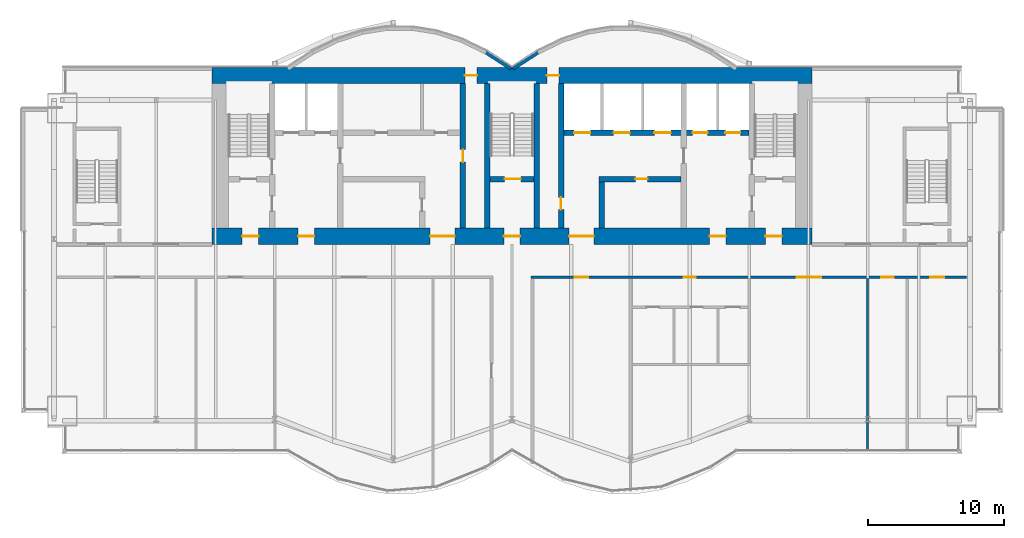
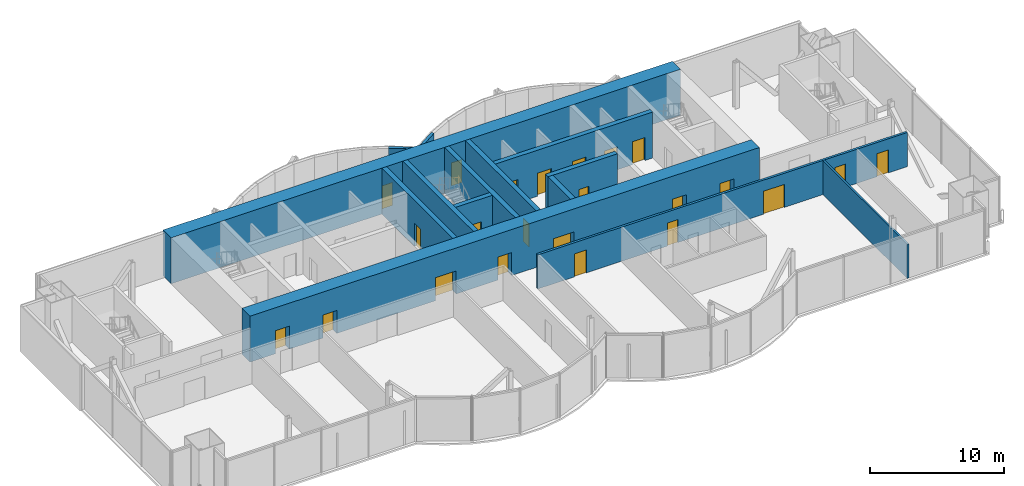
# One storey, part 14 of 19: 23 doors, 14 walls, 23 openings.
"""IFC4 building model written with IfcOpenShell, lengths in metres."""

from ifc_helpers import new_model, si_unit, direction, frame, frame_2d, origin, place, context, subcontext, project, spatial, rectangle, extrude, material, layer, layer_set, layer_usage, type_object, element, fill, save


model = new_model("IFC4")

# Units and contexts
model_context = context("Model", 3, precision=1e-05, world=origin(), true_north=direction((0.0, 1.0)))
body_context = subcontext(model_context, "Body", "Model", "MODEL_VIEW")
ifc_project = project(units=[si_unit("LENGTHUNIT", "METRE"), si_unit("AREAUNIT", "SQUARE_METRE"), si_unit("VOLUMEUNIT", "CUBIC_METRE"), si_unit("PLANEANGLEUNIT", "RADIAN"), si_unit("MASSUNIT", "GRAM", prefix="KILO")], contexts=[model_context])

# Site, building, storey
site_placement = place(None, origin())
site = spatial("IfcSite", under=ifc_project, at=site_placement, CompositionType="ELEMENT")
building_placement = place(site_placement, origin())
building = spatial("IfcBuilding", under=site, at=building_placement, Name="Bicima Exchange Tower", CompositionType="ELEMENT")
storey_placement = place(building_placement, frame((0.0, 0.0, 275.0)))
storey = spatial("IfcBuildingStorey", under=building, at=storey_placement, Name="L62", CompositionType="ELEMENT", Elevation=275.0)

# Wall, openings, doors
ifc_material_1 = material(Name="Gypsum board partition")
ifc_layer_1 = layer(ifc_material_1, 0.199951171875)
ifc_layer_set_1 = layer_set([ifc_layer_1], Name="Gypsum board partition")
wall_type_1 = type_object("IfcWallType", Name="Fire-rated gypsum partition 200 EI60", PredefinedType="PARTITIONING", material=ifc_layer_set_1)
wall_1_placement = place(storey_placement, frame((1.39990234375, -15.39990234375, 0.0), z_axis=(0.0, 0.0, 1.0), x_axis=(1.0, 0.0, 0.0)))
wall_1 = element("IfcWall", 1, at=wall_1_placement, inside=storey, type_object=wall_type_1, Name="partition wall 4", PredefinedType="PARTITIONING", context=body_context, shape_type="SweptSolid", body=[
    extrude(rectangle(XDim=31.940185546875, YDim=0.199951171875, at=frame_2d((15.97021484375, 0.0))), origin(), (0.0, 0.0, 1.0), 3.1181640625),
])
opening_1_placement = place(wall_1_placement, frame((3.199951171875, 0.0, 0.0)))
opening_1 = element("IfcOpeningElement", 2, at=opening_1_placement, cuts=wall_1, Name="Opening L62-011", PredefinedType="OPENING", context=body_context, shape_type="SweptSolid", body=[
    extrude(rectangle(XDim=1.0, YDim=2.10009765625, at=frame_2d((0.5, 1.050048828125))), frame((0.0, 0.11181640625, 0.0), z_axis=(0.0, -1.0, 0.0), x_axis=(1.0, 0.0, 0.0)), (0.0, 0.0, 1.0), 0.223876953125),
])
opening_2_placement = place(wall_1_placement, frame((11.199951171875, 0.0, 0.0)))
opening_2 = element("IfcOpeningElement", 3, at=opening_2_placement, cuts=wall_1, Name="Opening L62-012", PredefinedType="OPENING", context=body_context, shape_type="SweptSolid", body=[
    extrude(rectangle(XDim=0.89990234375, YDim=2.10009765625, at=frame_2d((0.449951171875, 1.050048828125))), frame((0.0, 0.11181640625, 0.0), z_axis=(0.0, -1.0, 0.0), x_axis=(1.0, 0.0, 0.0)), (0.0, 0.0, 1.0), 0.223876953125),
])
opening_3_placement = place(wall_1_placement, frame((19.5, 0.0, 0.0)))
opening_3 = element("IfcOpeningElement", 4, at=opening_3_placement, cuts=wall_1, Name="Opening L62-016", PredefinedType="OPENING", context=body_context, shape_type="SweptSolid", body=[
    extrude(rectangle(XDim=1.800048828125, YDim=2.10009765625, at=frame_2d((0.89990234375, 1.050048828125))), frame((0.0, 0.11181640625, 0.0), z_axis=(0.0, -1.0, 0.0), x_axis=(1.0, 0.0, 0.0)), (0.0, 0.0, 1.0), 0.223876953125),
])
opening_4_placement = place(wall_1_placement, frame((25.699951171875, 0.0, 0.0)))
opening_4 = element("IfcOpeningElement", 5, at=opening_4_placement, cuts=wall_1, Name="Opening L62-017", PredefinedType="OPENING", context=body_context, shape_type="SweptSolid", body=[
    extrude(rectangle(XDim=0.89990234375, YDim=2.10009765625, at=frame_2d((0.449951171875, 1.050048828125))), frame((0.0, 0.11181640625, 0.0), z_axis=(0.0, -1.0, 0.0), x_axis=(1.0, 0.0, 0.0)), (0.0, 0.0, 1.0), 0.223876953125),
])
opening_5_placement = place(wall_1_placement, frame((29.300048828125, 0.0, 0.0)))
opening_5 = element("IfcOpeningElement", 6, at=opening_5_placement, cuts=wall_1, Name="Opening L62-018", PredefinedType="OPENING", context=body_context, shape_type="SweptSolid", body=[
    extrude(rectangle(XDim=1.0, YDim=2.10009765625, at=frame_2d((0.5, 1.050048828125))), frame((0.0, 0.11181640625, 0.0), z_axis=(0.0, -1.0, 0.0), x_axis=(1.0, 0.0, 0.0)), (0.0, 0.0, 1.0), 0.223876953125),
])
ifc_material_2 = material(Name="Steel fire door leaf", Category="steel")
door_type_1 = type_object("IfcDoorType", Name="Door 1000 swing FD30S", OperationType="SINGLE_SWING_LEFT", PredefinedType="DOOR", material=ifc_material_2)
door_1_placement = place(opening_1_placement, frame((1.0, 0.0, 0.0), z_axis=(0.0, 0.0, 1.0), x_axis=(-1.0, 0.0, 0.0)))
door_1 = element("IfcDoor", 7, at=door_1_placement, inside=storey, type_object=door_type_1, Name="Door", OperationType="SINGLE_SWING_RIGHT", OverallHeight=2.10009765625, OverallWidth=1.0, PredefinedType="DOOR", context=body_context, shape_type="SweptSolid", body=[
    extrude(rectangle(XDim=1.0, YDim=2.10009765625, at=frame_2d((0.5, 1.050048828125))), frame((0.0, 0.02490234375, 0.0), z_axis=(0.0, -1.0, 0.0), x_axis=(1.0, 0.0, 0.0)), (0.0, 0.0, 1.0), 0.050048828125),
])
fill(opening_1, door_1)
door_2_placement = place(opening_5_placement, frame((1.0, 0.0, 0.0), z_axis=(0.0, 0.0, 1.0), x_axis=(-1.0, 0.0, 0.0)))
door_2 = element("IfcDoor", 8, at=door_2_placement, inside=storey, type_object=door_type_1, Name="Door", OperationType="SINGLE_SWING_RIGHT", OverallHeight=2.10009765625, OverallWidth=1.0, PredefinedType="DOOR", context=body_context, shape_type="SweptSolid", body=[
    extrude(rectangle(XDim=1.0, YDim=2.10009765625, at=frame_2d((0.5, 1.050048828125))), frame((0.0, 0.02490234375, 0.0), z_axis=(0.0, -1.0, 0.0), x_axis=(1.0, 0.0, 0.0)), (0.0, 0.0, 1.0), 0.050048828125),
])
fill(opening_5, door_2)
door_type_2 = type_object("IfcDoorType", Name="Door 1800 double swing FD30S", OperationType="DOUBLE_DOOR_SINGLE_SWING", PredefinedType="DOOR", material=ifc_material_2)
door_3_placement = place(opening_3_placement, origin())
door_3 = element("IfcDoor", 9, at=door_3_placement, inside=storey, type_object=door_type_2, Name="Door", OperationType="SINGLE_SWING_LEFT", OverallHeight=2.10009765625, OverallWidth=1.800048828125, PredefinedType="DOOR", context=body_context, shape_type="SweptSolid", body=[
    extrude(rectangle(XDim=1.800048828125, YDim=2.10009765625, at=frame_2d((0.89990234375, 1.050048828125))), frame((0.0, 0.02490234375, 0.0), z_axis=(0.0, -1.0, 0.0), x_axis=(1.0, 0.0, 0.0)), (0.0, 0.0, 1.0), 0.050048828125),
])
fill(opening_3, door_3)
door_type_3 = type_object("IfcDoorType", Name="Door 900 swing FD30S", OperationType="SINGLE_SWING_LEFT", PredefinedType="DOOR", material=ifc_material_2)
door_4_placement = place(opening_2_placement, frame((0.89990234375, 0.0, 0.0), z_axis=(0.0, 0.0, 1.0), x_axis=(-1.0, 0.0, 0.0)))
door_4 = element("IfcDoor", 10, at=door_4_placement, inside=storey, type_object=door_type_3, Name="Door", OperationType="SINGLE_SWING_RIGHT", OverallHeight=2.10009765625, OverallWidth=0.89990234375, PredefinedType="DOOR", context=body_context, shape_type="SweptSolid", body=[
    extrude(rectangle(XDim=0.89990234375, YDim=2.10009765625, at=frame_2d((0.449951171875, 1.050048828125))), frame((0.0, 0.02490234375, 0.0), z_axis=(0.0, -1.0, 0.0), x_axis=(1.0, 0.0, 0.0)), (0.0, 0.0, 1.0), 0.050048828125),
])
fill(opening_2, door_4)
door_5_placement = place(opening_4_placement, frame((0.89990234375, 0.0, 0.0), z_axis=(0.0, 0.0, 1.0), x_axis=(-1.0, 0.0, 0.0)))
door_5 = element("IfcDoor", 11, at=door_5_placement, inside=storey, type_object=door_type_3, Name="Door", OperationType="SINGLE_SWING_RIGHT", OverallHeight=2.10009765625, OverallWidth=0.89990234375, PredefinedType="DOOR", context=body_context, shape_type="SweptSolid", body=[
    extrude(rectangle(XDim=0.89990234375, YDim=2.10009765625, at=frame_2d((0.449951171875, 1.050048828125))), frame((0.0, 0.02490234375, 0.0), z_axis=(0.0, -1.0, 0.0), x_axis=(1.0, 0.0, 0.0)), (0.0, 0.0, 1.0), 0.050048828125),
])
fill(opening_4, door_5)

# Wall
ifc_layer_2 = layer(ifc_material_1, 0.14990234375)
ifc_layer_set_2 = layer_set([ifc_layer_2], Name="Gypsum board partition")
wall_type_2 = type_object("IfcWallType", Name="Gypsum partition 150", PredefinedType="PARTITIONING", material=ifc_layer_set_2)
wall_2_placement = place(storey_placement, frame((26.10009765625, -28.1298828125, 0.0), z_axis=(0.0, 0.0, 1.0), x_axis=(0.0, 1.0, 0.0)))
element("IfcWall", 12, at=wall_2_placement, inside=storey, type_object=wall_type_2, Name="partition wall 24", PredefinedType="PARTITIONING", context=body_context, shape_type="SweptSolid", body=[
    extrude(rectangle(XDim=12.6298828125, YDim=0.14990234375, at=frame_2d((6.31494140625, 0.0))), origin(), (0.0, 0.0, 1.0), 3.1181640625),
])

# Wall, openings, doors
ifc_material_3 = material(Name="Concrete C40/50", Category="concrete")
ifc_layer_3 = layer(ifc_material_3, 1.199951171875)
ifc_layer_set_3 = layer_set([ifc_layer_3], Name="Concrete C40/50")
wall_type_3 = type_object("IfcWallType", Name="RC core wall 1200 C40/50", PredefinedType="SHEAR", material=ifc_layer_set_3)
wall_3_placement = place(storey_placement, frame((-22.0, -0.60009765625, 0.0), z_axis=(0.0, 0.0, 1.0), x_axis=(1.0, 0.0, 0.0)))
wall_3 = element("IfcWall", 13, at=wall_3_placement, inside=storey, type_object=wall_type_3, Name="Core wall north", PredefinedType="SHEAR", context=body_context, shape_type="SweptSolid", body=[
    extrude(rectangle(XDim=44.0, YDim=1.199951171875, at=frame_2d((22.0, 0.0))), origin(), (0.0, 0.0, 1.0), 4.199951171875),
])
opening_6_placement = place(wall_3_placement, frame((18.550048828125, 0.0, 0.0)))
opening_6 = element("IfcOpeningElement", 14, at=opening_6_placement, cuts=wall_3, Name="Opening L62-C16", PredefinedType="OPENING", context=body_context, shape_type="SweptSolid", body=[
    extrude(rectangle(XDim=0.89990234375, YDim=2.10009765625, at=frame_2d((0.449951171875, 1.050048828125))), frame((0.0, 0.61181640625, 0.0), z_axis=(0.0, -1.0, 0.0), x_axis=(1.0, 0.0, 0.0)), (0.0, 0.0, 1.0), 1.223876953125),
])
opening_7_placement = place(wall_3_placement, frame((24.550048828125, 0.0, 0.0)))
opening_7 = element("IfcOpeningElement", 15, at=opening_7_placement, cuts=wall_3, Name="Opening L62-C17", PredefinedType="OPENING", context=body_context, shape_type="SweptSolid", body=[
    extrude(rectangle(XDim=0.89990234375, YDim=2.10009765625, at=frame_2d((0.449951171875, 1.050048828125))), frame((0.0, 0.61181640625, 0.0), z_axis=(0.0, -1.0, 0.0), x_axis=(1.0, 0.0, 0.0)), (0.0, 0.0, 1.0), 1.223876953125),
])
door_6_placement = place(opening_6_placement, origin())
door_6 = element("IfcDoor", 16, at=door_6_placement, inside=storey, type_object=door_type_3, Name="Core door", OperationType="SINGLE_SWING_LEFT", OverallHeight=2.10009765625, OverallWidth=0.89990234375, PredefinedType="DOOR", context=body_context, shape_type="SweptSolid", body=[
    extrude(rectangle(XDim=0.89990234375, YDim=2.10009765625, at=frame_2d((0.449951171875, 1.050048828125))), frame((0.0, 0.02490234375, 0.0), z_axis=(0.0, -1.0, 0.0), x_axis=(1.0, 0.0, 0.0)), (0.0, 0.0, 1.0), 0.050048828125),
])
fill(opening_6, door_6)
door_7_placement = place(opening_7_placement, origin())
door_7 = element("IfcDoor", 17, at=door_7_placement, inside=storey, type_object=door_type_3, Name="Core door", OperationType="SINGLE_SWING_LEFT", OverallHeight=2.10009765625, OverallWidth=0.89990234375, PredefinedType="DOOR", context=body_context, shape_type="SweptSolid", body=[
    extrude(rectangle(XDim=0.89990234375, YDim=2.10009765625, at=frame_2d((0.449951171875, 1.050048828125))), frame((0.0, 0.02490234375, 0.0), z_axis=(0.0, -1.0, 0.0), x_axis=(1.0, 0.0, 0.0)), (0.0, 0.0, 1.0), 0.050048828125),
])
fill(opening_7, door_7)

wall_4_placement = place(storey_placement, frame((-22.0, -12.39990234375, 0.0), z_axis=(0.0, 0.0, 1.0), x_axis=(1.0, 0.0, 0.0)))
wall_4 = element("IfcWall", 18, at=wall_4_placement, inside=storey, type_object=wall_type_3, Name="Core wall south", PredefinedType="SHEAR", context=body_context, shape_type="SweptSolid", body=[
    extrude(rectangle(XDim=44.0, YDim=1.199951171875, at=frame_2d((22.0, 0.0))), origin(), (0.0, 0.0, 1.0), 4.199951171875),
])
opening_8_placement = place(wall_4_placement, frame((2.199951171875, 0.0, 0.0)))
opening_8 = element("IfcOpeningElement", 19, at=opening_8_placement, cuts=wall_4, Name="Opening L62-C18", PredefinedType="OPENING", context=body_context, shape_type="SweptSolid", body=[
    extrude(rectangle(XDim=1.199951171875, YDim=2.10009765625, at=frame_2d((0.60009765625, 1.050048828125))), frame((0.0, 0.61181640625, 0.0), z_axis=(0.0, -1.0, 0.0), x_axis=(1.0, 0.0, 0.0)), (0.0, 0.0, 1.0), 1.223876953125),
])
opening_9_placement = place(wall_4_placement, frame((21.39990234375, 0.0, 0.0)))
opening_9 = element("IfcOpeningElement", 20, at=opening_9_placement, cuts=wall_4, Name="Opening L62-C19", PredefinedType="OPENING", context=body_context, shape_type="SweptSolid", body=[
    extrude(rectangle(XDim=1.199951171875, YDim=2.10009765625, at=frame_2d((0.60009765625, 1.050048828125))), frame((0.0, 0.61181640625, 0.0), z_axis=(0.0, -1.0, 0.0), x_axis=(1.0, 0.0, 0.0)), (0.0, 0.0, 1.0), 1.223876953125),
])
opening_10_placement = place(wall_4_placement, frame((40.60009765625, 0.0, 0.0)))
opening_10 = element("IfcOpeningElement", 21, at=opening_10_placement, cuts=wall_4, Name="Opening L62-C20", PredefinedType="OPENING", context=body_context, shape_type="SweptSolid", body=[
    extrude(rectangle(XDim=1.199951171875, YDim=2.10009765625, at=frame_2d((0.60009765625, 1.050048828125))), frame((0.0, 0.61181640625, 0.0), z_axis=(0.0, -1.0, 0.0), x_axis=(1.0, 0.0, 0.0)), (0.0, 0.0, 1.0), 1.223876953125),
])
opening_11_placement = place(wall_4_placement, frame((16.0, 0.0, 0.0)))
opening_11 = element("IfcOpeningElement", 22, at=opening_11_placement, cuts=wall_4, Name="Opening L62-C21", PredefinedType="OPENING", context=body_context, shape_type="SweptSolid", body=[
    extrude(rectangle(XDim=1.800048828125, YDim=2.10009765625, at=frame_2d((0.89990234375, 1.050048828125))), frame((0.0, 0.61181640625, 0.0), z_axis=(0.0, -1.0, 0.0), x_axis=(1.0, 0.0, 0.0)), (0.0, 0.0, 1.0), 1.223876953125),
])
opening_12_placement = place(wall_4_placement, frame((6.300048828125, 0.0, 0.0)))
opening_12 = element("IfcOpeningElement", 23, at=opening_12_placement, cuts=wall_4, Name="Opening L62-C22", PredefinedType="OPENING", context=body_context, shape_type="SweptSolid", body=[
    extrude(rectangle(XDim=1.199951171875, YDim=2.10009765625, at=frame_2d((0.60009765625, 1.050048828125))), frame((0.0, 0.61181640625, 0.0), z_axis=(0.0, -1.0, 0.0), x_axis=(1.0, 0.0, 0.0)), (0.0, 0.0, 1.0), 1.223876953125),
])
opening_13_placement = place(wall_4_placement, frame((26.199951171875, 0.0, 0.0)))
opening_13 = element("IfcOpeningElement", 24, at=opening_13_placement, cuts=wall_4, Name="Opening L62-C23", PredefinedType="OPENING", context=body_context, shape_type="SweptSolid", body=[
    extrude(rectangle(XDim=1.800048828125, YDim=2.10009765625, at=frame_2d((0.89990234375, 1.050048828125))), frame((0.0, 0.61181640625, 0.0), z_axis=(0.0, -1.0, 0.0), x_axis=(1.0, 0.0, 0.0)), (0.0, 0.0, 1.0), 1.223876953125),
])
opening_14_placement = place(wall_4_placement, frame((36.5, 0.0, 0.0)))
opening_14 = element("IfcOpeningElement", 25, at=opening_14_placement, cuts=wall_4, Name="Opening L62-C24", PredefinedType="OPENING", context=body_context, shape_type="SweptSolid", body=[
    extrude(rectangle(XDim=1.199951171875, YDim=2.10009765625, at=frame_2d((0.60009765625, 1.050048828125))), frame((0.0, 0.61181640625, 0.0), z_axis=(0.0, -1.0, 0.0), x_axis=(1.0, 0.0, 0.0)), (0.0, 0.0, 1.0), 1.223876953125),
])
door_type_4 = type_object("IfcDoorType", Name="Door 1200 swing FD60S", OperationType="SINGLE_SWING_LEFT", PredefinedType="DOOR", material=ifc_material_2)
door_8_placement = place(opening_8_placement, frame((1.199951171875, 0.0, 0.0), z_axis=(0.0, 0.0, 1.0), x_axis=(-1.0, 0.0, 0.0)))
door_8 = element("IfcDoor", 26, at=door_8_placement, inside=storey, type_object=door_type_4, Name="Core door", OperationType="SINGLE_SWING_RIGHT", OverallHeight=2.10009765625, OverallWidth=1.199951171875, PredefinedType="DOOR", context=body_context, shape_type="SweptSolid", body=[
    extrude(rectangle(XDim=1.199951171875, YDim=2.10009765625, at=frame_2d((0.60009765625, 1.050048828125))), frame((0.0, 0.02490234375, 0.0), z_axis=(0.0, -1.0, 0.0), x_axis=(1.0, 0.0, 0.0)), (0.0, 0.0, 1.0), 0.050048828125),
])
fill(opening_8, door_8)
door_9_placement = place(opening_9_placement, frame((1.199951171875, 0.0, 0.0), z_axis=(0.0, 0.0, 1.0), x_axis=(-1.0, 0.0, 0.0)))
door_9 = element("IfcDoor", 27, at=door_9_placement, inside=storey, type_object=door_type_4, Name="Core door", OperationType="SINGLE_SWING_RIGHT", OverallHeight=2.10009765625, OverallWidth=1.199951171875, PredefinedType="DOOR", context=body_context, shape_type="SweptSolid", body=[
    extrude(rectangle(XDim=1.199951171875, YDim=2.10009765625, at=frame_2d((0.60009765625, 1.050048828125))), frame((0.0, 0.02490234375, 0.0), z_axis=(0.0, -1.0, 0.0), x_axis=(1.0, 0.0, 0.0)), (0.0, 0.0, 1.0), 0.050048828125),
])
fill(opening_9, door_9)
door_10_placement = place(opening_10_placement, frame((1.199951171875, 0.0, 0.0), z_axis=(0.0, 0.0, 1.0), x_axis=(-1.0, 0.0, 0.0)))
door_10 = element("IfcDoor", 28, at=door_10_placement, inside=storey, type_object=door_type_4, Name="Core door", OperationType="SINGLE_SWING_RIGHT", OverallHeight=2.10009765625, OverallWidth=1.199951171875, PredefinedType="DOOR", context=body_context, shape_type="SweptSolid", body=[
    extrude(rectangle(XDim=1.199951171875, YDim=2.10009765625, at=frame_2d((0.60009765625, 1.050048828125))), frame((0.0, 0.02490234375, 0.0), z_axis=(0.0, -1.0, 0.0), x_axis=(1.0, 0.0, 0.0)), (0.0, 0.0, 1.0), 0.050048828125),
])
fill(opening_10, door_10)
door_11_placement = place(opening_12_placement, frame((1.199951171875, 0.0, 0.0), z_axis=(0.0, 0.0, 1.0), x_axis=(-1.0, 0.0, 0.0)))
door_11 = element("IfcDoor", 29, at=door_11_placement, inside=storey, type_object=door_type_4, Name="Core door", OperationType="SINGLE_SWING_RIGHT", OverallHeight=2.10009765625, OverallWidth=1.199951171875, PredefinedType="DOOR", context=body_context, shape_type="SweptSolid", body=[
    extrude(rectangle(XDim=1.199951171875, YDim=2.10009765625, at=frame_2d((0.60009765625, 1.050048828125))), frame((0.0, 0.02490234375, 0.0), z_axis=(0.0, -1.0, 0.0), x_axis=(1.0, 0.0, 0.0)), (0.0, 0.0, 1.0), 0.050048828125),
])
fill(opening_12, door_11)
door_12_placement = place(opening_14_placement, frame((1.199951171875, 0.0, 0.0), z_axis=(0.0, 0.0, 1.0), x_axis=(-1.0, 0.0, 0.0)))
door_12 = element("IfcDoor", 30, at=door_12_placement, inside=storey, type_object=door_type_4, Name="Core door", OperationType="SINGLE_SWING_RIGHT", OverallHeight=2.10009765625, OverallWidth=1.199951171875, PredefinedType="DOOR", context=body_context, shape_type="SweptSolid", body=[
    extrude(rectangle(XDim=1.199951171875, YDim=2.10009765625, at=frame_2d((0.60009765625, 1.050048828125))), frame((0.0, 0.02490234375, 0.0), z_axis=(0.0, -1.0, 0.0), x_axis=(1.0, 0.0, 0.0)), (0.0, 0.0, 1.0), 0.050048828125),
])
fill(opening_14, door_12)
door_13_placement = place(opening_11_placement, origin())
door_13 = element("IfcDoor", 31, at=door_13_placement, inside=storey, type_object=door_type_2, Name="Core door", OperationType="SINGLE_SWING_LEFT", OverallHeight=2.10009765625, OverallWidth=1.800048828125, PredefinedType="DOOR", context=body_context, shape_type="SweptSolid", body=[
    extrude(rectangle(XDim=1.800048828125, YDim=2.10009765625, at=frame_2d((0.89990234375, 1.050048828125))), frame((0.0, 0.02490234375, 0.0), z_axis=(0.0, -1.0, 0.0), x_axis=(1.0, 0.0, 0.0)), (0.0, 0.0, 1.0), 0.050048828125),
])
fill(opening_11, door_13)
door_14_placement = place(opening_13_placement, origin())
door_14 = element("IfcDoor", 32, at=door_14_placement, inside=storey, type_object=door_type_2, Name="Core door", OperationType="SINGLE_SWING_LEFT", OverallHeight=2.10009765625, OverallWidth=1.800048828125, PredefinedType="DOOR", context=body_context, shape_type="SweptSolid", body=[
    extrude(rectangle(XDim=1.800048828125, YDim=2.10009765625, at=frame_2d((0.89990234375, 1.050048828125))), frame((0.0, 0.02490234375, 0.0), z_axis=(0.0, -1.0, 0.0), x_axis=(1.0, 0.0, 0.0)), (0.0, 0.0, 1.0), 0.050048828125),
])
fill(opening_13, door_14)

# Wall, opening, door
ifc_layer_4 = layer(ifc_material_3, 0.39990234375)
ifc_layer_set_4 = layer_set([ifc_layer_4], Name="Concrete C40/50")
wall_type_4 = type_object("IfcWallType", Name="RC core wall 400 C40/50", PredefinedType="SHEAR", material=ifc_layer_set_4)
wall_5_placement = place(storey_placement, frame((6.39990234375, -8.199951171875, 0.0), z_axis=(0.0, 0.0, 1.0), x_axis=(1.0, 0.0, 0.0)))
wall_5 = element("IfcWall", 33, at=wall_5_placement, inside=storey, type_object=wall_type_4, Name="shear wall 4", PredefinedType="SHEAR", context=body_context, shape_type="SweptSolid", body=[
    extrude(rectangle(XDim=6.0, YDim=0.39990234375, at=frame_2d((3.0, 0.0))), origin(), (0.0, 0.0, 1.0), 4.199951171875),
])
opening_15_placement = place(wall_5_placement, frame((2.64990234375, 0.0, 0.0)))
opening_15 = element("IfcOpeningElement", 34, at=opening_15_placement, cuts=wall_5, Name="Opening L62-C15", PredefinedType="OPENING", context=body_context, shape_type="SweptSolid", body=[
    extrude(rectangle(XDim=0.89990234375, YDim=2.10009765625, at=frame_2d((0.449951171875, 1.050048828125))), frame((0.0, 0.2119140625, 0.0), z_axis=(0.0, -1.0, 0.0), x_axis=(1.0, 0.0, 0.0)), (0.0, 0.0, 1.0), 0.423828125),
])
door_15_placement = place(opening_15_placement, frame((0.89990234375, 0.0, 0.0), z_axis=(0.0, 0.0, 1.0), x_axis=(-1.0, 0.0, 0.0)))
door_15 = element("IfcDoor", 35, at=door_15_placement, inside=storey, type_object=door_type_3, Name="Core door", OperationType="SINGLE_SWING_RIGHT", OverallHeight=2.10009765625, OverallWidth=0.89990234375, PredefinedType="DOOR", context=body_context, shape_type="SweptSolid", body=[
    extrude(rectangle(XDim=0.89990234375, YDim=2.10009765625, at=frame_2d((0.449951171875, 1.050048828125))), frame((0.0, 0.02490234375, 0.0), z_axis=(0.0, -1.0, 0.0), x_axis=(1.0, 0.0, 0.0)), (0.0, 0.0, 1.0), 0.050048828125),
])
fill(opening_15, door_15)

# Wall, openings, doors
wall_6_placement = place(storey_placement, frame((3.800048828125, -4.800048828125, 0.0), z_axis=(0.0, 0.0, 1.0), x_axis=(1.0, 0.0, 0.0)))
wall_6 = element("IfcWall", 36, at=wall_6_placement, inside=storey, type_object=wall_type_4, Name="shear wall 7", PredefinedType="SHEAR", context=body_context, shape_type="SweptSolid", body=[
    extrude(rectangle(XDim=13.599853515625, YDim=0.39990234375, at=frame_2d((6.7998046875, 0.0))), origin(), (0.0, 0.0, 1.0), 4.199951171875),
])
opening_16_placement = place(wall_6_placement, frame((0.75, 0.0, 0.0)))
opening_16 = element("IfcOpeningElement", 37, at=opening_16_placement, cuts=wall_6, Name="Opening LD-HB1-L62", PredefinedType="OPENING", context=body_context, shape_type="SweptSolid", body=[
    extrude(rectangle(XDim=1.199951171875, YDim=2.10009765625, at=frame_2d((0.60009765625, 1.050048828125))), frame((0.0, 0.2119140625, 0.0), z_axis=(0.0, -1.0, 0.0), x_axis=(1.0, 0.0, 0.0)), (0.0, 0.0, 1.0), 0.423828125),
])
opening_17_placement = place(wall_6_placement, frame((3.64990234375, 0.0, 0.0)))
opening_17 = element("IfcOpeningElement", 38, at=opening_17_placement, cuts=wall_6, Name="Opening LD-HB2-L62", PredefinedType="OPENING", context=body_context, shape_type="SweptSolid", body=[
    extrude(rectangle(XDim=1.199951171875, YDim=2.10009765625, at=frame_2d((0.60009765625, 1.050048828125))), frame((0.0, 0.2119140625, 0.0), z_axis=(0.0, -1.0, 0.0), x_axis=(1.0, 0.0, 0.0)), (0.0, 0.0, 1.0), 0.423828125),
])
opening_18_placement = place(wall_6_placement, frame((6.64990234375, 0.0, 0.0)))
opening_18 = element("IfcOpeningElement", 39, at=opening_18_placement, cuts=wall_6, Name="Opening LD-HB3-L62", PredefinedType="OPENING", context=body_context, shape_type="SweptSolid", body=[
    extrude(rectangle(XDim=1.199951171875, YDim=2.10009765625, at=frame_2d((0.60009765625, 1.050048828125))), frame((0.0, 0.2119140625, 0.0), z_axis=(0.0, -1.0, 0.0), x_axis=(1.0, 0.0, 0.0)), (0.0, 0.0, 1.0), 0.423828125),
])
opening_19_placement = place(wall_6_placement, frame((9.449951171875, 0.0, 0.0)))
opening_19 = element("IfcOpeningElement", 40, at=opening_19_placement, cuts=wall_6, Name="Opening LD-FF2-L62", PredefinedType="OPENING", context=body_context, shape_type="SweptSolid", body=[
    extrude(rectangle(XDim=1.10009765625, YDim=2.10009765625, at=frame_2d((0.550048828125, 1.050048828125))), frame((0.0, 0.2119140625, 0.0), z_axis=(0.0, -1.0, 0.0), x_axis=(1.0, 0.0, 0.0)), (0.0, 0.0, 1.0), 0.423828125),
])
opening_20_placement = place(wall_6_placement, frame((11.85009765625, 0.0, 0.0)))
opening_20 = element("IfcOpeningElement", 41, at=opening_20_placement, cuts=wall_6, Name="Opening LD-SV1-L62", PredefinedType="OPENING", context=body_context, shape_type="SweptSolid", body=[
    extrude(rectangle(XDim=1.10009765625, YDim=2.10009765625, at=frame_2d((0.550048828125, 1.050048828125))), frame((0.0, 0.2119140625, 0.0), z_axis=(0.0, -1.0, 0.0), x_axis=(1.0, 0.0, 0.0)), (0.0, 0.0, 1.0), 0.423828125),
])
ifc_material_4 = material(Name="Stainless steel", Category="steel")
door_type_5 = type_object("IfcDoorType", Name="Lift landing door 1100 sliding", OperationType="DOUBLE_DOOR_SLIDING", PredefinedType="DOOR", material=ifc_material_4)
door_16_placement = place(opening_19_placement, origin())
door_16 = element("IfcDoor", 42, at=door_16_placement, inside=storey, type_object=door_type_5, Name="Lift landing door FF2", OperationType="DOUBLE_DOOR_SLIDING", OverallHeight=2.10009765625, OverallWidth=1.10009765625, PredefinedType="DOOR", context=body_context, shape_type="SweptSolid", body=[
    extrude(rectangle(XDim=1.10009765625, YDim=2.10009765625, at=frame_2d((0.550048828125, 1.050048828125))), frame((0.0, 0.02490234375, 0.0), z_axis=(0.0, -1.0, 0.0), x_axis=(1.0, 0.0, 0.0)), (0.0, 0.0, 1.0), 0.050048828125),
])
fill(opening_19, door_16)
door_17_placement = place(opening_20_placement, origin())
door_17 = element("IfcDoor", 43, at=door_17_placement, inside=storey, type_object=door_type_5, Name="Lift landing door SV1", OperationType="DOUBLE_DOOR_SLIDING", OverallHeight=2.10009765625, OverallWidth=1.10009765625, PredefinedType="DOOR", context=body_context, shape_type="SweptSolid", body=[
    extrude(rectangle(XDim=1.10009765625, YDim=2.10009765625, at=frame_2d((0.550048828125, 1.050048828125))), frame((0.0, 0.02490234375, 0.0), z_axis=(0.0, -1.0, 0.0), x_axis=(1.0, 0.0, 0.0)), (0.0, 0.0, 1.0), 0.050048828125),
])
fill(opening_20, door_17)
door_type_6 = type_object("IfcDoorType", Name="Lift landing door 1200 sliding", OperationType="DOUBLE_DOOR_SLIDING", PredefinedType="DOOR", material=ifc_material_4)
door_18_placement = place(opening_16_placement, origin())
door_18 = element("IfcDoor", 44, at=door_18_placement, inside=storey, type_object=door_type_6, Name="Lift landing door HB1", OperationType="DOUBLE_DOOR_SLIDING", OverallHeight=2.10009765625, OverallWidth=1.199951171875, PredefinedType="DOOR", context=body_context, shape_type="SweptSolid", body=[
    extrude(rectangle(XDim=1.199951171875, YDim=2.10009765625, at=frame_2d((0.60009765625, 1.050048828125))), frame((0.0, 0.02490234375, 0.0), z_axis=(0.0, -1.0, 0.0), x_axis=(1.0, 0.0, 0.0)), (0.0, 0.0, 1.0), 0.050048828125),
])
fill(opening_16, door_18)
door_19_placement = place(opening_17_placement, origin())
door_19 = element("IfcDoor", 45, at=door_19_placement, inside=storey, type_object=door_type_6, Name="Lift landing door HB2", OperationType="DOUBLE_DOOR_SLIDING", OverallHeight=2.10009765625, OverallWidth=1.199951171875, PredefinedType="DOOR", context=body_context, shape_type="SweptSolid", body=[
    extrude(rectangle(XDim=1.199951171875, YDim=2.10009765625, at=frame_2d((0.60009765625, 1.050048828125))), frame((0.0, 0.02490234375, 0.0), z_axis=(0.0, -1.0, 0.0), x_axis=(1.0, 0.0, 0.0)), (0.0, 0.0, 1.0), 0.050048828125),
])
fill(opening_17, door_19)
door_20_placement = place(opening_18_placement, origin())
door_20 = element("IfcDoor", 46, at=door_20_placement, inside=storey, type_object=door_type_6, Name="Lift landing door HB3", OperationType="DOUBLE_DOOR_SLIDING", OverallHeight=2.10009765625, OverallWidth=1.199951171875, PredefinedType="DOOR", context=body_context, shape_type="SweptSolid", body=[
    extrude(rectangle(XDim=1.199951171875, YDim=2.10009765625, at=frame_2d((0.60009765625, 1.050048828125))), frame((0.0, 0.02490234375, 0.0), z_axis=(0.0, -1.0, 0.0), x_axis=(1.0, 0.0, 0.0)), (0.0, 0.0, 1.0), 0.050048828125),
])
fill(opening_18, door_20)

# Wall, opening, door
wall_7_placement = place(storey_placement, frame((-3.60009765625, -11.800048828125, 0.0), z_axis=(0.0, 0.0, 1.0), x_axis=(0.0, 1.0, 0.0)))
wall_7 = element("IfcWall", 47, at=wall_7_placement, inside=storey, type_object=wall_type_4, Name="shear wall 13", PredefinedType="SHEAR", context=body_context, shape_type="SweptSolid", body=[
    extrude(rectangle(XDim=10.60009765625, YDim=0.39990234375, at=frame_2d((5.300048828125, 0.0))), origin(), (0.0, 0.0, 1.0), 4.199951171875),
])
opening_21_placement = place(wall_7_placement, frame((4.85009765625, 0.0, 0.0)))
opening_21 = element("IfcOpeningElement", 48, at=opening_21_placement, cuts=wall_7, Name="Opening L62-C10", PredefinedType="OPENING", context=body_context, shape_type="SweptSolid", body=[
    extrude(rectangle(XDim=0.89990234375, YDim=2.10009765625, at=frame_2d((0.449951171875, 1.050048828125))), frame((0.0, 0.2119140625, 0.0), z_axis=(0.0, -1.0, 0.0), x_axis=(1.0, 0.0, 0.0)), (0.0, 0.0, 1.0), 0.423828125),
])
door_21_placement = place(opening_21_placement, frame((0.89990234375, 0.0, 0.0), z_axis=(0.0, 0.0, 1.0), x_axis=(-1.0, 0.0, 0.0)))
door_21 = element("IfcDoor", 49, at=door_21_placement, inside=storey, type_object=door_type_3, Name="Core door", OperationType="SINGLE_SWING_LEFT", OverallHeight=2.10009765625, OverallWidth=0.89990234375, PredefinedType="DOOR", context=body_context, shape_type="SweptSolid", body=[
    extrude(rectangle(XDim=0.89990234375, YDim=2.10009765625, at=frame_2d((0.449951171875, 1.050048828125))), frame((0.0, 0.02490234375, 0.0), z_axis=(0.0, -1.0, 0.0), x_axis=(1.0, 0.0, 0.0)), (0.0, 0.0, 1.0), 0.050048828125),
])
fill(opening_21, door_21)

wall_8_placement = place(storey_placement, frame((3.60009765625, -11.800048828125, 0.0), z_axis=(0.0, 0.0, 1.0), x_axis=(0.0, 1.0, 0.0)))
wall_8 = element("IfcWall", 50, at=wall_8_placement, inside=storey, type_object=wall_type_4, Name="shear wall 16", PredefinedType="SHEAR", context=body_context, shape_type="SweptSolid", body=[
    extrude(rectangle(XDim=10.60009765625, YDim=0.39990234375, at=frame_2d((5.300048828125, 0.0))), origin(), (0.0, 0.0, 1.0), 4.199951171875),
])
opening_22_placement = place(wall_8_placement, frame((1.35009765625, 0.0, 0.0)))
opening_22 = element("IfcOpeningElement", 51, at=opening_22_placement, cuts=wall_8, Name="Opening L62-C11", PredefinedType="OPENING", context=body_context, shape_type="SweptSolid", body=[
    extrude(rectangle(XDim=0.89990234375, YDim=2.10009765625, at=frame_2d((0.449951171875, 1.050048828125))), frame((0.0, 0.2119140625, 0.0), z_axis=(0.0, -1.0, 0.0), x_axis=(1.0, 0.0, 0.0)), (0.0, 0.0, 1.0), 0.423828125),
])
door_22_placement = place(opening_22_placement, origin())
door_22 = element("IfcDoor", 52, at=door_22_placement, inside=storey, type_object=door_type_3, Name="Core door", OperationType="SINGLE_SWING_LEFT", OverallHeight=2.10009765625, OverallWidth=0.89990234375, PredefinedType="DOOR", context=body_context, shape_type="SweptSolid", body=[
    extrude(rectangle(XDim=0.89990234375, YDim=2.10009765625, at=frame_2d((0.449951171875, 1.050048828125))), frame((0.0, 0.02490234375, 0.0), z_axis=(0.0, -1.0, 0.0), x_axis=(1.0, 0.0, 0.0)), (0.0, 0.0, 1.0), 0.050048828125),
])
fill(opening_22, door_22)

# Wall
wall_9_placement = place(storey_placement, frame((6.60009765625, -11.800048828125, 0.0), z_axis=(0.0, 0.0, 1.0), x_axis=(0.0, 1.0, 0.0)))
element("IfcWall", 53, at=wall_9_placement, inside=storey, type_object=wall_type_4, Name="shear wall 17", PredefinedType="SHEAR", context=body_context, shape_type="SweptSolid", body=[
    extrude(rectangle(XDim=3.400146484375, YDim=0.39990234375, at=frame_2d((1.7001953125, 0.0))), origin(), (0.0, 0.0, 1.0), 4.199951171875),
])

# Wall, opening, door
ifc_material_5 = material(Name="Concrete C50/60", Category="concrete")
ifc_layer_5 = layer(ifc_material_5, 0.39990234375)
ifc_layer_set_5 = layer_set([ifc_layer_5], Name="Concrete C50/60")
wall_type_5 = type_object("IfcWallType", Name="RC core wall 400 C50/60", PredefinedType="SHEAR", material=ifc_layer_set_5)
wall_10_placement = place(storey_placement, frame((-1.60009765625, -8.199951171875, 0.0), z_axis=(0.0, 0.0, 1.0), x_axis=(1.0, 0.0, 0.0)))
wall_10 = element("IfcWall", 54, at=wall_10_placement, inside=storey, type_object=wall_type_5, Name="stair wall 3", PredefinedType="SHEAR", context=body_context, shape_type="SweptSolid", body=[
    extrude(rectangle(XDim=3.2001953125, YDim=0.39990234375, at=frame_2d((1.60009765625, 0.0))), origin(), (0.0, 0.0, 1.0), 4.199951171875),
])
opening_23_placement = place(wall_10_placement, frame((1.050048828125, 0.0, 0.0)))
opening_23 = element("IfcOpeningElement", 55, at=opening_23_placement, cuts=wall_10, Name="Opening L62-C03", PredefinedType="OPENING", context=body_context, shape_type="SweptSolid", body=[
    extrude(rectangle(XDim=1.199951171875, YDim=2.10009765625, at=frame_2d((0.60009765625, 1.050048828125))), frame((0.0, 0.2119140625, 0.0), z_axis=(0.0, -1.0, 0.0), x_axis=(1.0, 0.0, 0.0)), (0.0, 0.0, 1.0), 0.423828125),
])
door_23_placement = place(opening_23_placement, origin())
door_23 = element("IfcDoor", 56, at=door_23_placement, inside=storey, type_object=door_type_4, Name="Core door", OperationType="SINGLE_SWING_LEFT", OverallHeight=2.10009765625, OverallWidth=1.199951171875, PredefinedType="DOOR", context=body_context, shape_type="SweptSolid", body=[
    extrude(rectangle(XDim=1.199951171875, YDim=2.10009765625, at=frame_2d((0.60009765625, 1.050048828125))), frame((0.0, 0.02490234375, 0.0), z_axis=(0.0, -1.0, 0.0), x_axis=(1.0, 0.0, 0.0)), (0.0, 0.0, 1.0), 0.050048828125),
])
fill(opening_23, door_23)

# Walls
for number, where, z_axis, x_axis, name in (
    (57, (-1.800048828125, -11.800048828125, 0.0), (0.0, 0.0, 1.0), (0.0, 1.0, 0.0), "stair wall 14"),
    (58, (1.800048828125, -11.800048828125, 0.0), (0.0, 0.0, 1.0), (0.0, 1.0, 0.0), "stair wall 15"),
):
    element("IfcWall", number, at=place(storey_placement, frame(where, z_axis=z_axis, x_axis=x_axis)), inside=storey, type_object=wall_type_5, Name=name, PredefinedType="SHEAR", context=body_context, shape_type="SweptSolid", body=[
        extrude(rectangle(XDim=10.60009765625, YDim=0.39990234375, at=frame_2d((5.300048828125, 0.0))), origin(), (0.0, 0.0, 1.0), 4.199951171875),
    ])
ifc_layer_6 = layer(ifc_material_3, 0.25)
ifc_layer_set_6 = layer_set([ifc_layer_6], Name="Concrete C40/50")
ifc_layer_usage = layer_usage(ifc_layer_set_6, "AXIS2", "POSITIVE", -0.125)
wall_type_6 = type_object("IfcWallType", Name="Rear backup wall 250", PredefinedType="STANDARD", material=ifc_layer_set_6)
for number, where, z_axis, x_axis, name in (
    (59, (1.901123046875, 1.080078125, 0.0), (0.0, 0.0, 1.0), (-0.83981312244, -0.542875602121, 0.0), "Rear backup wall L62 10"),
    (60, (-0.06787109375, -0.10498046875, 0.0), (0.0, 0.0, 1.0), (-0.83981312244, 0.542875602121, 0.0), "Rear backup wall L62 11"),
):
    element("IfcWall", number, at=place(storey_placement, frame(where, z_axis=z_axis, x_axis=x_axis)), inside=storey, type_object=wall_type_6, material=ifc_layer_usage, Name=name, PredefinedType="STANDARD", context=body_context, shape_type="SweptSolid", body=[
        extrude(rectangle(XDim=2.182861328125, YDim=0.25, at=frame_2d((1.09130859375, 0.0))), origin(), (0.0, 0.0, 1.0), 4.050048828125),
    ])

save(model, "model.ifc")
